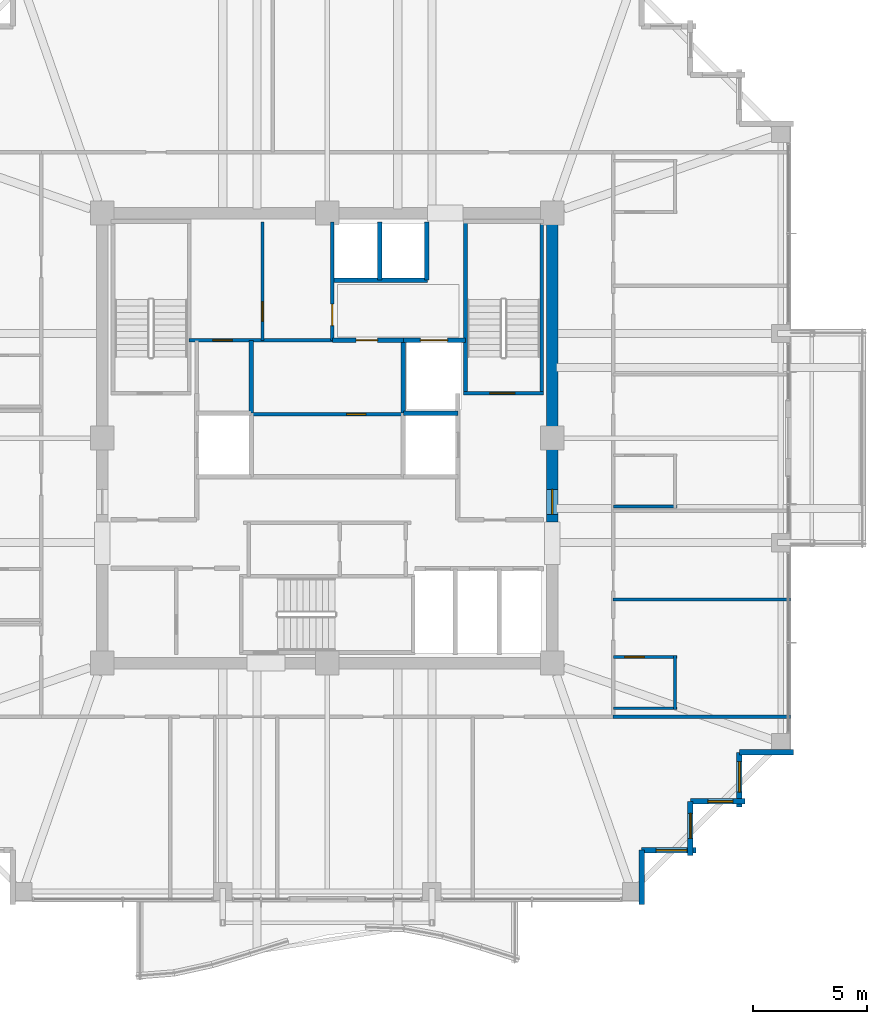
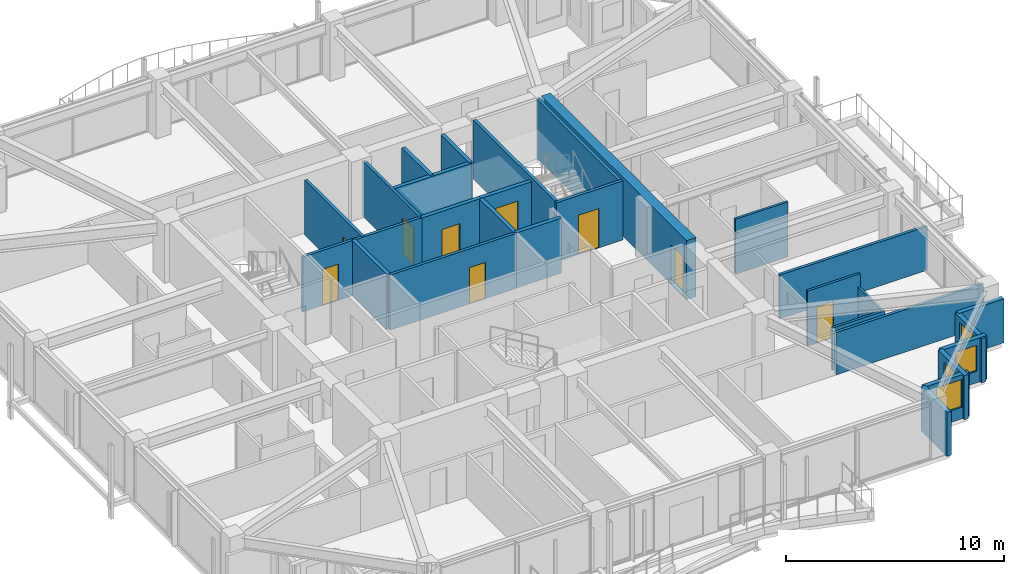
# One storey, part 34 of 38: 28 walls, 9 doors, 4 windows, 13 openings.
"""IFC4 building model written with IfcOpenShell, lengths in metres."""

from ifc_helpers import new_model, si_unit, direction, frame, frame_2d, origin, place, context, subcontext, project, spatial, rectangle, extrude, material, layer, layer_set, type_object, element, fill, save


model = new_model("IFC4")

# Units and contexts
model_context = context("Model", 3, precision=1e-05, world=origin(), true_north=direction((0.0, 1.0)))
body_context = subcontext(model_context, "Body", "Model", "MODEL_VIEW")
ifc_project = project(units=[si_unit("LENGTHUNIT", "METRE"), si_unit("AREAUNIT", "SQUARE_METRE"), si_unit("VOLUMEUNIT", "CUBIC_METRE"), si_unit("PLANEANGLEUNIT", "RADIAN"), si_unit("MASSUNIT", "GRAM", prefix="KILO")], contexts=[model_context])

# Site, building, storey
site_placement = place(None, origin())
site = spatial("IfcSite", under=ifc_project, at=site_placement, CompositionType="ELEMENT")
building_placement = place(site_placement, origin())
building = spatial("IfcBuilding", under=site, at=building_placement, Name="Kolvaren Belvedere", CompositionType="ELEMENT")
storey_placement = place(building_placement, frame((0.0, 0.0, 206.39990234375)))
storey = spatial("IfcBuildingStorey", under=building, at=storey_placement, Name="L60", CompositionType="ELEMENT", Elevation=206.39990234375)

# Wall, opening, door
ifc_material_1 = material(Name="Concrete C50/60", Category="concrete")
ifc_layer_1 = layer(ifc_material_1, 0.5)
ifc_layer_set_1 = layer_set([ifc_layer_1], Name="Concrete C50/60")
wall_type_1 = type_object("IfcWallType", Name="CW-CORE-500", PredefinedType="SHEAR", material=ifc_layer_set_1)
wall_1_placement = place(storey_placement, frame((9.89990234375, -3.699951171875, 0.0), z_axis=(0.0, 0.0, 1.0), x_axis=(0.0, 1.0, 0.0)))
wall_1 = element("IfcWall", 1, at=wall_1_placement, inside=storey, type_object=wall_type_1, Name="L60 East Core Shear Wall 2", PredefinedType="SHEAR", context=body_context, shape_type="SweptSolid", body=[
    extrude(rectangle(XDim=13.349853515625, YDim=0.5, at=frame_2d((6.6748046875, 0.0))), origin(), (0.0, 0.0, 1.0), 3.300048828125),
])
opening_1_placement = place(wall_1_placement, frame((0.35009765625, 0.0, 0.0)))
opening_1 = element("IfcOpeningElement", 2, at=opening_1_placement, cuts=wall_1, Name="Opening D-FD90", PredefinedType="OPENING", context=body_context, shape_type="SweptSolid", body=[
    extrude(rectangle(XDim=1.10009765625, YDim=2.199951171875, at=frame_2d((0.550048828125, 1.10009765625))), frame((0.0, 0.260009765625, 0.0), z_axis=(0.0, -1.0, 0.0), x_axis=(1.0, 0.0, 0.0)), (0.0, 0.0, 1.0), 0.52001953125),
])
ifc_material_2 = material(Name="Painted hollow stainless steel", Category="steel")
door_type_1 = type_object("IfcDoorType", Name="DR-FD90-1100", OperationType="NOTDEFINED", PredefinedType="DOOR", material=ifc_material_2)
door_1_placement = place(opening_1_placement, origin())
door_1 = element("IfcDoor", 3, at=door_1_placement, inside=storey, type_object=door_type_1, Name="L60 East Firefighting Lobby Fire Door", OperationType="SINGLE_SWING_RIGHT", OverallHeight=2.199951171875, OverallWidth=1.10009765625, PredefinedType="DOOR", context=body_context, shape_type="SweptSolid", body=[
    extrude(rectangle(XDim=1.10009765625, YDim=2.199951171875, at=frame_2d((0.550048828125, 1.10009765625))), frame((0.0, 0.02490234375, 0.0), z_axis=(0.0, -1.0, 0.0), x_axis=(1.0, 0.0, 0.0)), (0.0, 0.0, 1.0), 0.050048828125),
])
fill(opening_1, door_1)

ifc_material_3 = material(Name="Concrete C50/60", Category="concrete")
ifc_layer_2 = layer(ifc_material_3, 0.159912109375)
ifc_layer_set_2 = layer_set([ifc_layer_2], Name="Concrete C50/60")
wall_type_2 = type_object("IfcWallType", Name="CW-STAIR-160", PredefinedType="SHEAR", material=ifc_layer_set_2)
wall_2_placement = place(storey_placement, frame((6.0, 1.969970703125, 0.0), z_axis=(0.0, 0.0, 1.0), x_axis=(1.0, 0.0, 0.0)))
wall_2 = element("IfcWall", 4, at=wall_2_placement, inside=storey, type_object=wall_type_2, Name="L60 Stair ST-2 South Shear Wall", PredefinedType="SHEAR", context=body_context, shape_type="SweptSolid", body=[
    extrude(rectangle(XDim=3.52001953125, YDim=0.159912109375, at=frame_2d((1.760009765625, 0.0))), origin(), (0.0, 0.0, 1.0), 3.300048828125),
])
opening_2_placement = place(wall_2_placement, frame((1.14990234375, 0.0, 0.0)))
opening_2 = element("IfcOpeningElement", 5, at=opening_2_placement, cuts=wall_2, Name="Opening D-FD90", PredefinedType="OPENING", context=body_context, shape_type="SweptSolid", body=[
    extrude(rectangle(XDim=1.10009765625, YDim=2.199951171875, at=frame_2d((0.550048828125, 1.10009765625))), frame((0.0, 0.08984375, 0.0), z_axis=(0.0, -1.0, 0.0), x_axis=(1.0, 0.0, 0.0)), (0.0, 0.0, 1.0), 0.179931640625),
])
door_2_placement = place(opening_2_placement, origin())
door_2 = element("IfcDoor", 6, at=door_2_placement, inside=storey, type_object=door_type_1, Name="L60 Stair ST-2 Fire Door", OperationType="SINGLE_SWING_RIGHT", OverallHeight=2.199951171875, OverallWidth=1.10009765625, PredefinedType="DOOR", context=body_context, shape_type="SweptSolid", body=[
    extrude(rectangle(XDim=1.10009765625, YDim=2.199951171875, at=frame_2d((0.550048828125, 1.10009765625))), frame((0.0, 0.02490234375, 0.0), z_axis=(0.0, -1.0, 0.0), x_axis=(1.0, 0.0, 0.0)), (0.0, 0.0, 1.0), 0.050048828125),
])
fill(opening_2, door_2)

# Walls
for number, where, z_axis, x_axis, name in (
    (7, (6.080078125, 1.969970703125, 0.0), (0.0, 0.0, 1.0), (0.0, 1.0, 0.0), "L60 Stair ST-2 West Shear Wall"),
    (8, (9.429931640625, 1.969970703125, 0.0), (0.0, 0.0, 1.0), (0.0, 1.0, 0.0), "L60 Stair ST-2 East Shear Wall"),
):
    element("IfcWall", number, at=place(storey_placement, frame(where, z_axis=z_axis, x_axis=x_axis)), inside=storey, type_object=wall_type_2, Name=name, PredefinedType="SHEAR", context=body_context, shape_type="SweptSolid", body=[
        extrude(rectangle(XDim=7.56005859375, YDim=0.159912109375, at=frame_2d((3.780029296875, 0.0))), origin(), (0.0, 0.0, 1.0), 3.300048828125),
    ])
ifc_material_4 = material(Name="Insulated pale-metal facade wall assembly", Category="aluminium")
ifc_layer_3 = layer(ifc_material_4, 0.239990234375)
ifc_layer_set_3 = layer_set([ifc_layer_3], Name="Insulated pale-metal facade wall assembly")
wall_type_3 = type_object("IfcWallType", Name="WL-EXT-240", PredefinedType="STANDARD", material=ifc_layer_set_3)
wall_3_placement = place(storey_placement, frame((13.830078125, -18.1298828125, 0.0), z_axis=(0.0, 0.0, 1.0), x_axis=(0.0, -1.0, 0.0)))
element("IfcWall", 9, at=wall_3_placement, inside=storey, type_object=wall_type_3, Name="L60 Serrated Corner Facade Wall 2", PredefinedType="STANDARD", context=body_context, shape_type="SweptSolid", body=[
    extrude(rectangle(XDim=2.39013671875, YDim=0.239990234375, at=frame_2d((1.195068359375, 0.0))), origin(), (0.0, 0.0, 1.0), 2.463134765625),
])

# Wall, opening, window
wall_4_placement = place(storey_placement, frame((16.219970703125, -18.1298828125, 0.0), z_axis=(0.0, 0.0, 1.0), x_axis=(-1.0, 0.0, 0.0)))
wall_4 = element("IfcWall", 10, at=wall_4_placement, inside=storey, type_object=wall_type_3, Name="L60 Serrated Corner Facade Wall 3", PredefinedType="STANDARD", context=body_context, shape_type="SweptSolid", body=[
    extrude(rectangle(XDim=2.389892578125, YDim=0.239990234375, at=frame_2d((1.19482421875, 0.0))), origin(), (0.0, 0.0, 1.0), 2.463134765625),
])
opening_3_placement = place(wall_4_placement, frame((0.39990234375, 0.0, 0.64990234375)))
opening_3 = element("IfcOpeningElement", 11, at=opening_3_placement, cuts=wall_4, Name="Opening W-1350", PredefinedType="OPENING", context=body_context, shape_type="SweptSolid", body=[
    extrude(rectangle(XDim=1.35009765625, YDim=1.550048828125, at=frame_2d((0.675048828125, 0.77490234375))), frame((0.0, 0.1298828125, 0.0), z_axis=(0.0, -1.0, 0.0), x_axis=(1.0, 0.0, 0.0)), (0.0, 0.0, 1.0), 0.260009765625),
])
ifc_material_5 = material(Name="Low-iron triple insulated glass", Category="glass")
window_type_1 = type_object("IfcWindowType", Name="WN-CORN-1350", PartitioningType="SINGLE_PANEL", PredefinedType="WINDOW", material=ifc_material_5)
window_1_placement = place(opening_3_placement, origin())
window_1 = element("IfcWindow", 12, at=window_1_placement, inside=storey, type_object=window_type_1, Name="L60 Serrated Corner Vision Window 3", OverallHeight=1.550048828125, OverallWidth=1.35009765625, PartitioningType="SINGLE_PANEL", PredefinedType="WINDOW", context=body_context, shape_type="SweptSolid", body=[
    extrude(rectangle(XDim=1.35009765625, YDim=1.550048828125, at=frame_2d((0.675048828125, 0.77490234375))), frame((0.0, 0.030029296875, 0.0), z_axis=(0.0, -1.0, 0.0), x_axis=(1.0, 0.0, 0.0)), (0.0, 0.0, 1.0), 0.06005859375),
])
fill(opening_3, window_1)

wall_5_placement = place(storey_placement, frame((15.97998046875, -15.97998046875, 0.0), z_axis=(0.0, 0.0, 1.0), x_axis=(0.0, -1.0, 0.0)))
wall_5 = element("IfcWall", 13, at=wall_5_placement, inside=storey, type_object=wall_type_3, Name="L60 Serrated Corner Facade Wall 4", PredefinedType="STANDARD", context=body_context, shape_type="SweptSolid", body=[
    extrude(rectangle(XDim=2.39013671875, YDim=0.239990234375, at=frame_2d((1.195068359375, 0.0))), origin(), (0.0, 0.0, 1.0), 2.463134765625),
])
opening_4_placement = place(wall_5_placement, frame((0.52490234375, 0.0, 0.64990234375)))
opening_4 = element("IfcOpeningElement", 14, at=opening_4_placement, cuts=wall_5, Name="Opening W-1100", PredefinedType="OPENING", context=body_context, shape_type="SweptSolid", body=[
    extrude(rectangle(XDim=1.10009765625, YDim=1.449951171875, at=frame_2d((0.550048828125, 0.72509765625))), frame((0.0, 0.1298828125, 0.0), z_axis=(0.0, -1.0, 0.0), x_axis=(1.0, 0.0, 0.0)), (0.0, 0.0, 1.0), 0.260009765625),
])
ifc_material_6 = material(Name="Low-iron triple insulated glass", Category="glass")
window_type_2 = type_object("IfcWindowType", Name="WN-CORN-1100", PartitioningType="SINGLE_PANEL", PredefinedType="WINDOW", material=ifc_material_6)
window_2_placement = place(opening_4_placement, origin())
window_2 = element("IfcWindow", 15, at=window_2_placement, inside=storey, type_object=window_type_2, Name="L60 Serrated Corner Vision Window 4", OverallHeight=1.449951171875, OverallWidth=1.10009765625, PartitioningType="SINGLE_PANEL", PredefinedType="WINDOW", context=body_context, shape_type="SweptSolid", body=[
    extrude(rectangle(XDim=1.10009765625, YDim=1.449951171875, at=frame_2d((0.550048828125, 0.72509765625))), frame((0.0, 0.030029296875, 0.0), z_axis=(0.0, -1.0, 0.0), x_axis=(1.0, 0.0, 0.0)), (0.0, 0.0, 1.0), 0.06005859375),
])
fill(opening_4, window_2)

wall_6_placement = place(storey_placement, frame((18.3701171875, -15.97998046875, 0.0), z_axis=(0.0, 0.0, 1.0), x_axis=(-1.0, 0.0, 0.0)))
wall_6 = element("IfcWall", 16, at=wall_6_placement, inside=storey, type_object=wall_type_3, Name="L60 Serrated Corner Facade Wall 5", PredefinedType="STANDARD", context=body_context, shape_type="SweptSolid", body=[
    extrude(rectangle(XDim=2.39013671875, YDim=0.239990234375, at=frame_2d((1.195068359375, 0.0))), origin(), (0.0, 0.0, 1.0), 2.463134765625),
])
opening_5_placement = place(wall_6_placement, frame((0.52490234375, 0.0, 0.64990234375)))
opening_5 = element("IfcOpeningElement", 17, at=opening_5_placement, cuts=wall_6, Name="Opening W-1100", PredefinedType="OPENING", context=body_context, shape_type="SweptSolid", body=[
    extrude(rectangle(XDim=1.10009765625, YDim=1.449951171875, at=frame_2d((0.550048828125, 0.72509765625))), frame((0.0, 0.1298828125, 0.0), z_axis=(0.0, -1.0, 0.0), x_axis=(1.0, 0.0, 0.0)), (0.0, 0.0, 1.0), 0.260009765625),
])
window_3_placement = place(opening_5_placement, origin())
window_3 = element("IfcWindow", 18, at=window_3_placement, inside=storey, type_object=window_type_2, Name="L60 Serrated Corner Vision Window 5", OverallHeight=1.449951171875, OverallWidth=1.10009765625, PartitioningType="SINGLE_PANEL", PredefinedType="WINDOW", context=body_context, shape_type="SweptSolid", body=[
    extrude(rectangle(XDim=1.10009765625, YDim=1.449951171875, at=frame_2d((0.550048828125, 0.72509765625))), frame((0.0, 0.030029296875, 0.0), z_axis=(0.0, -1.0, 0.0), x_axis=(1.0, 0.0, 0.0)), (0.0, 0.0, 1.0), 0.06005859375),
])
fill(opening_5, window_3)

wall_7_placement = place(storey_placement, frame((18.1298828125, -13.830078125, 0.0), z_axis=(0.0, 0.0, 1.0), x_axis=(0.0, -1.0, 0.0)))
wall_7 = element("IfcWall", 19, at=wall_7_placement, inside=storey, type_object=wall_type_3, Name="L60 Serrated Corner Facade Wall 6", PredefinedType="STANDARD", context=body_context, shape_type="SweptSolid", body=[
    extrude(rectangle(XDim=2.389892578125, YDim=0.239990234375, at=frame_2d((1.19482421875, 0.0))), origin(), (0.0, 0.0, 1.0), 2.463134765625),
])
opening_6_placement = place(wall_7_placement, frame((0.39990234375, 0.0, 0.64990234375)))
opening_6 = element("IfcOpeningElement", 20, at=opening_6_placement, cuts=wall_7, Name="Opening W-1350", PredefinedType="OPENING", context=body_context, shape_type="SweptSolid", body=[
    extrude(rectangle(XDim=1.35009765625, YDim=1.550048828125, at=frame_2d((0.675048828125, 0.77490234375))), frame((0.0, 0.1298828125, 0.0), z_axis=(0.0, -1.0, 0.0), x_axis=(1.0, 0.0, 0.0)), (0.0, 0.0, 1.0), 0.260009765625),
])
window_4_placement = place(opening_6_placement, origin())
window_4 = element("IfcWindow", 21, at=window_4_placement, inside=storey, type_object=window_type_1, Name="L60 Serrated Corner Vision Window 6", OverallHeight=1.550048828125, OverallWidth=1.35009765625, PartitioningType="SINGLE_PANEL", PredefinedType="WINDOW", context=body_context, shape_type="SweptSolid", body=[
    extrude(rectangle(XDim=1.35009765625, YDim=1.550048828125, at=frame_2d((0.675048828125, 0.77490234375))), frame((0.0, 0.030029296875, 0.0), z_axis=(0.0, -1.0, 0.0), x_axis=(1.0, 0.0, 0.0)), (0.0, 0.0, 1.0), 0.06005859375),
])
fill(opening_6, window_4)

# Wall
wall_8_placement = place(storey_placement, frame((20.52001953125, -13.830078125, 0.0), z_axis=(0.0, 0.0, 1.0), x_axis=(-1.0, 0.0, 0.0)))
element("IfcWall", 22, at=wall_8_placement, inside=storey, type_object=wall_type_3, Name="L60 Serrated Corner Facade Wall 7", PredefinedType="STANDARD", context=body_context, shape_type="SweptSolid", body=[
    extrude(rectangle(XDim=2.39013671875, YDim=0.239990234375, at=frame_2d((1.195068359375, 0.0))), origin(), (0.0, 0.0, 1.0), 2.463134765625),
])

# Wall, opening, door
ifc_material_7 = material(Name="Gypsum acoustic partition assembly", Category="gypsum")
ifc_layer_4 = layer(ifc_material_7, 0.14990234375)
ifc_layer_set_4 = layer_set([ifc_layer_4], Name="Gypsum acoustic partition assembly")
wall_type_4 = type_object("IfcWallType", Name="WL-PART-150", PredefinedType="PARTITIONING", material=ifc_layer_set_4)
wall_9_placement = place(storey_placement, frame((-6.080078125, 4.300048828125, 0.0), z_axis=(0.0, 0.0, 1.0), x_axis=(1.0, 0.0, 0.0)))
wall_9 = element("IfcWall", 23, at=wall_9_placement, inside=storey, type_object=wall_type_4, Name="L60 Reclaimed Salon South Wall", PredefinedType="PARTITIONING", context=body_context, shape_type="SweptSolid", body=[
    extrude(rectangle(XDim=6.300048828125, YDim=0.14990234375, at=frame_2d((3.14990234375, 0.0))), origin(), (0.0, 0.0, 1.0), 3.080078125),
])
opening_7_placement = place(wall_9_placement, frame((1.050048828125, 0.0, 0.0)))
opening_7 = element("IfcOpeningElement", 24, at=opening_7_placement, cuts=wall_9, Name="Opening D-INT85", PredefinedType="OPENING", context=body_context, shape_type="SweptSolid", body=[
    extrude(rectangle(XDim=0.85009765625, YDim=2.030029296875, at=frame_2d((0.425048828125, 1.01513671875))), frame((0.0, 0.0849609375, 0.0), z_axis=(0.0, -1.0, 0.0), x_axis=(1.0, 0.0, 0.0)), (0.0, 0.0, 1.0), 0.169921875),
])
ifc_material_8 = material(Name="Stained Pacific white oak", Category="timber")
door_type_2 = type_object("IfcDoorType", Name="DR-INT-850", OperationType="NOTDEFINED", PredefinedType="DOOR", material=ifc_material_8)
door_3_placement = place(opening_7_placement, origin())
door_3 = element("IfcDoor", 25, at=door_3_placement, inside=storey, type_object=door_type_2, Name="L60 NW Core Store Door", OperationType="SINGLE_SWING_RIGHT", OverallHeight=2.030029296875, OverallWidth=0.85009765625, PredefinedType="DOOR", context=body_context, shape_type="SweptSolid", body=[
    extrude(rectangle(XDim=0.85009765625, YDim=2.030029296875, at=frame_2d((0.425048828125, 1.01513671875))), frame((0.0, 0.02490234375, 0.0), z_axis=(0.0, -1.0, 0.0), x_axis=(1.0, 0.0, 0.0)), (0.0, 0.0, 1.0), 0.050048828125),
])
fill(opening_7, door_3)

wall_10_placement = place(storey_placement, frame((0.219970703125, 4.300048828125, 0.0), z_axis=(0.0, 0.0, 1.0), x_axis=(0.0, 1.0, 0.0)))
wall_10 = element("IfcWall", 26, at=wall_10_placement, inside=storey, type_object=wall_type_4, Name="L60 Reclaimed Salon East Wall", PredefinedType="PARTITIONING", context=body_context, shape_type="SweptSolid", body=[
    extrude(rectangle(XDim=5.219970703125, YDim=0.14990234375, at=frame_2d((2.60986328125, 0.0))), origin(), (0.0, 0.0, 1.0), 3.080078125),
])
opening_8_placement = place(wall_10_placement, frame((0.64990234375, 0.0, 0.0)))
opening_8 = element("IfcOpeningElement", 27, at=opening_8_placement, cuts=wall_10, Name="Opening D-INT95", PredefinedType="OPENING", context=body_context, shape_type="SweptSolid", body=[
    extrude(rectangle(XDim=0.949951171875, YDim=2.06005859375, at=frame_2d((0.47509765625, 1.030029296875))), frame((0.0, 0.0849609375, 0.0), z_axis=(0.0, -1.0, 0.0), x_axis=(1.0, 0.0, 0.0)), (0.0, 0.0, 1.0), 0.169921875),
])
ifc_material_9 = material(Name="Stained Pacific white oak", Category="timber")
door_type_3 = type_object("IfcDoorType", Name="DR-INT-950", OperationType="NOTDEFINED", PredefinedType="DOOR", material=ifc_material_9)
door_4_placement = place(opening_8_placement, origin())
door_4 = element("IfcDoor", 28, at=door_4_placement, inside=storey, type_object=door_type_3, Name="L60 Sky Boardroom Door", OperationType="SINGLE_SWING_LEFT", OverallHeight=2.06005859375, OverallWidth=0.949951171875, PredefinedType="DOOR", context=body_context, shape_type="SweptSolid", body=[
    extrude(rectangle(XDim=0.949951171875, YDim=2.06005859375, at=frame_2d((0.47509765625, 1.030029296875))), frame((0.0, 0.02490234375, 0.0), z_axis=(0.0, -1.0, 0.0), x_axis=(1.0, 0.0, 0.0)), (0.0, 0.0, 1.0), 0.050048828125),
])
fill(opening_8, door_4)

wall_11_placement = place(storey_placement, frame((-2.85009765625, 4.300048828125, 0.0), z_axis=(0.0, 0.0, 1.0), x_axis=(0.0, 1.0, 0.0)))
wall_11 = element("IfcWall", 29, at=wall_11_placement, inside=storey, type_object=wall_type_4, Name="L60 Reclaimed Salon Divider", PredefinedType="PARTITIONING", context=body_context, shape_type="SweptSolid", body=[
    extrude(rectangle(XDim=5.219970703125, YDim=0.14990234375, at=frame_2d((2.60986328125, 0.0))), origin(), (0.0, 0.0, 1.0), 3.080078125),
])
opening_9_placement = place(wall_11_placement, frame((0.85009765625, 0.0, 0.0)))
opening_9 = element("IfcOpeningElement", 30, at=opening_9_placement, cuts=wall_11, Name="Opening D-INT85", PredefinedType="OPENING", context=body_context, shape_type="SweptSolid", body=[
    extrude(rectangle(XDim=0.85009765625, YDim=2.030029296875, at=frame_2d((0.425048828125, 1.01513671875))), frame((0.0, 0.0849609375, 0.0), z_axis=(0.0, -1.0, 0.0), x_axis=(1.0, 0.0, 0.0)), (0.0, 0.0, 1.0), 0.169921875),
])
door_5_placement = place(opening_9_placement, origin())
door_5 = element("IfcDoor", 31, at=door_5_placement, inside=storey, type_object=door_type_2, Name="L60 Beverage Pantry Door", OperationType="SINGLE_SWING_RIGHT", OverallHeight=2.030029296875, OverallWidth=0.85009765625, PredefinedType="DOOR", context=body_context, shape_type="SweptSolid", body=[
    extrude(rectangle(XDim=0.85009765625, YDim=2.030029296875, at=frame_2d((0.425048828125, 1.01513671875))), frame((0.0, 0.02490234375, 0.0), z_axis=(0.0, -1.0, 0.0), x_axis=(1.0, 0.0, 0.0)), (0.0, 0.0, 1.0), 0.050048828125),
])
fill(opening_9, door_5)

wall_12_placement = place(storey_placement, frame((-3.35009765625, 1.050048828125, 0.0), z_axis=(0.0, 0.0, 1.0), x_axis=(1.0, 0.0, 0.0)))
wall_12 = element("IfcWall", 32, at=wall_12_placement, inside=storey, type_object=wall_type_4, Name="L60 Central Core H-Divider", PredefinedType="PARTITIONING", context=body_context, shape_type="SweptSolid", body=[
    extrude(rectangle(XDim=6.7001953125, YDim=0.14990234375, at=frame_2d((3.35009765625, 0.0))), origin(), (0.0, 0.0, 1.0), 3.080078125),
])
opening_10_placement = place(wall_12_placement, frame((4.199951171875, 0.0, 0.0)))
opening_10 = element("IfcOpeningElement", 33, at=opening_10_placement, cuts=wall_12, Name="Opening D-INT85", PredefinedType="OPENING", context=body_context, shape_type="SweptSolid", body=[
    extrude(rectangle(XDim=0.85009765625, YDim=2.030029296875, at=frame_2d((0.425048828125, 1.01513671875))), frame((0.0, 0.0849609375, 0.0), z_axis=(0.0, -1.0, 0.0), x_axis=(1.0, 0.0, 0.0)), (0.0, 0.0, 1.0), 0.169921875),
])
door_6_placement = place(opening_10_placement, origin())
door_6 = element("IfcDoor", 34, at=door_6_placement, inside=storey, type_object=door_type_2, Name="L60 Central Archive Door", OperationType="SINGLE_SWING_LEFT", OverallHeight=2.030029296875, OverallWidth=0.85009765625, PredefinedType="DOOR", context=body_context, shape_type="SweptSolid", body=[
    extrude(rectangle(XDim=0.85009765625, YDim=2.030029296875, at=frame_2d((0.425048828125, 1.01513671875))), frame((0.0, 0.02490234375, 0.0), z_axis=(0.0, -1.0, 0.0), x_axis=(1.0, 0.0, 0.0)), (0.0, 0.0, 1.0), 0.050048828125),
])
fill(opening_10, door_6)

# Walls
wall_13_placement = place(storey_placement, frame((12.580078125, -12.260009765625, 0.0), z_axis=(0.0, 0.0, 1.0), x_axis=(1.0, 0.0, 0.0)))
element("IfcWall", 35, at=wall_13_placement, inside=storey, type_object=wall_type_4, Name="L60 Wing Divider PW-L60-QSE", PredefinedType="PARTITIONING", context=body_context, shape_type="SweptSolid", body=[
    extrude(rectangle(XDim=7.7998046875, YDim=0.14990234375, at=frame_2d((3.89990234375, 0.0))), origin(), (0.0, 0.0, 1.0), 2.369140625),
])
wall_14_placement = place(storey_placement, frame((12.580078125, -7.10009765625, 0.0), z_axis=(0.0, 0.0, 1.0), x_axis=(1.0, 0.0, 0.0)))
element("IfcWall", 36, at=wall_14_placement, inside=storey, type_object=wall_type_4, Name="L60 East Suite Demising Wall 1", PredefinedType="PARTITIONING", context=body_context, shape_type="SweptSolid", body=[
    extrude(rectangle(XDim=7.7998046875, YDim=0.14990234375, at=frame_2d((3.89990234375, 0.0))), origin(), (0.0, 0.0, 1.0), 2.453125),
])
ifc_material_10 = material(Name="Concrete C50/60", Category="concrete")
ifc_layer_5 = layer(ifc_material_10, 0.199951171875)
ifc_layer_set_5 = layer_set([ifc_layer_5], Name="Concrete C50/60")
wall_type_5 = type_object("IfcWallType", Name="WL-SHAFT-200", PredefinedType="SOLIDWALL", material=ifc_layer_set_5)
wall_15_placement = place(storey_placement, frame((3.35009765625, 1.10009765625, 0.0), z_axis=(0.0, 0.0, 1.0), x_axis=(1.0, 0.0, 0.0)))
element("IfcWall", 37, at=wall_15_placement, inside=storey, type_object=wall_type_5, Name="L60 FSAE FS2 North Wall", PredefinedType="SOLIDWALL", context=body_context, shape_type="SweptSolid", body=[
    extrude(rectangle(XDim=2.39990234375, YDim=0.199951171875, at=frame_2d((1.199951171875, 0.0))), origin(), (0.0, 0.0, 1.0), 3.080078125),
])

# Wall, opening, door
wall_16_placement = place(storey_placement, frame((3.35009765625, 4.300048828125, 0.0), z_axis=(0.0, 0.0, 1.0), x_axis=(1.0, 0.0, 0.0)))
wall_16 = element("IfcWall", 38, at=wall_16_placement, inside=storey, type_object=wall_type_5, Name="L60 Service Lift SV1 Front Wall", PredefinedType="SOLIDWALL", context=body_context, shape_type="SweptSolid", body=[
    extrude(rectangle(XDim=2.72998046875, YDim=0.199951171875, at=frame_2d((1.364990234375, 0.0))), origin(), (0.0, 0.0, 1.0), 3.080078125),
])
opening_11_placement = place(wall_16_placement, frame((0.75, 0.0, 0.0)))
opening_11 = element("IfcOpeningElement", 39, at=opening_11_placement, cuts=wall_16, Name="Opening LD-12", PredefinedType="OPENING", context=body_context, shape_type="SweptSolid", body=[
    extrude(rectangle(XDim=1.199951171875, YDim=2.25, at=frame_2d((0.60009765625, 1.125))), frame((0.0, 0.10986328125, 0.0), z_axis=(0.0, -1.0, 0.0), x_axis=(1.0, 0.0, 0.0)), (0.0, 0.0, 1.0), 0.219970703125),
])
ifc_material_11 = material(Name="Brushed stainless steel", Category="steel")
door_type_4 = type_object("IfcDoorType", Name="DR-LIFT-1200", OperationType="DOUBLE_DOOR_SLIDING", PredefinedType="DOOR", material=ifc_material_11)
door_7_placement = place(opening_11_placement, origin())
door_7 = element("IfcDoor", 40, at=door_7_placement, inside=storey, type_object=door_type_4, Name="L60 Service Lift SV1 Landing Door", OperationType="DOUBLE_DOOR_SLIDING", OverallHeight=2.25, OverallWidth=1.199951171875, PredefinedType="DOOR", context=body_context, shape_type="SweptSolid", body=[
    extrude(rectangle(XDim=1.199951171875, YDim=2.25, at=frame_2d((0.60009765625, 1.125))), frame((0.0, 0.02490234375, 0.0), z_axis=(0.0, -1.0, 0.0), x_axis=(1.0, 0.0, 0.0)), (0.0, 0.0, 1.0), 0.050048828125),
])
fill(opening_11, door_7)

# Walls
wall_17_placement = place(storey_placement, frame((0.219970703125, 6.949951171875, 0.0), z_axis=(0.0, 0.0, 1.0), x_axis=(1.0, 0.0, 0.0)))
element("IfcWall", 41, at=wall_17_placement, inside=storey, type_object=wall_type_5, Name="L60 Express Shuttle Hoistway Wall", PredefinedType="SOLIDWALL", context=body_context, shape_type="SweptSolid", body=[
    extrude(rectangle(XDim=4.179931640625, YDim=0.199951171875, at=frame_2d((2.08984375, 0.0))), origin(), (0.0, 0.0, 1.0), 3.080078125),
])
for number, where, z_axis, x_axis, name in (
    (42, (4.3798828125, 6.949951171875, 0.0), (0.0, 0.0, 1.0), (0.0, 1.0, 0.0), "L60 Express Shuttle East Wall"),
    (43, (2.31005859375, 6.949951171875, 0.0), (0.0, 0.0, 1.0), (0.0, 1.0, 0.0), "L60 Express Shuttle Divider"),
):
    element("IfcWall", number, at=place(storey_placement, frame(where, z_axis=z_axis, x_axis=x_axis)), inside=storey, type_object=wall_type_5, Name=name, PredefinedType="SOLIDWALL", context=body_context, shape_type="SweptSolid", body=[
        extrude(rectangle(XDim=2.570068359375, YDim=0.199951171875, at=frame_2d((1.28515625, 0.0))), origin(), (0.0, 0.0, 1.0), 3.080078125),
    ])

# Wall, opening, door
wall_18_placement = place(storey_placement, frame((0.219970703125, 4.300048828125, 0.0), z_axis=(0.0, 0.0, 1.0), x_axis=(1.0, 0.0, 0.0)))
wall_18 = element("IfcWall", 44, at=wall_18_placement, inside=storey, type_object=wall_type_5, Name="L60 Central Core Room North Wall", PredefinedType="SOLIDWALL", context=body_context, shape_type="SweptSolid", body=[
    extrude(rectangle(XDim=3.130126953125, YDim=0.199951171875, at=frame_2d((1.56494140625, 0.0))), origin(), (0.0, 0.0, 1.0), 3.080078125),
])
opening_12_placement = place(wall_18_placement, frame((1.050048828125, 0.0, 0.0)))
opening_12 = element("IfcOpeningElement", 45, at=opening_12_placement, cuts=wall_18, Name="Opening D-FD60", PredefinedType="OPENING", context=body_context, shape_type="SweptSolid", body=[
    extrude(rectangle(XDim=0.949951171875, YDim=2.06005859375, at=frame_2d((0.47509765625, 1.030029296875))), frame((0.0, 0.10986328125, 0.0), z_axis=(0.0, -1.0, 0.0), x_axis=(1.0, 0.0, 0.0)), (0.0, 0.0, 1.0), 0.219970703125),
])
ifc_material_12 = material(Name="Acoustic white-oak fire door leaf", Category="timber")
door_type_5 = type_object("IfcDoorType", Name="DR-FD60-950", OperationType="NOTDEFINED", PredefinedType="DOOR", material=ifc_material_12)
door_8_placement = place(opening_12_placement, origin())
door_8 = element("IfcDoor", 46, at=door_8_placement, inside=storey, type_object=door_type_5, Name="L60 Central Core Controls Door", OperationType="SINGLE_SWING_LEFT", OverallHeight=2.06005859375, OverallWidth=0.949951171875, PredefinedType="DOOR", context=body_context, shape_type="SweptSolid", body=[
    extrude(rectangle(XDim=0.949951171875, YDim=2.06005859375, at=frame_2d((0.47509765625, 1.030029296875))), frame((0.0, 0.02490234375, 0.0), z_axis=(0.0, -1.0, 0.0), x_axis=(1.0, 0.0, 0.0)), (0.0, 0.0, 1.0), 0.050048828125),
])
fill(opening_12, door_8)

# Walls
for number, where, z_axis, x_axis, name in (
    (47, (-3.35009765625, 1.10009765625, 0.0), (0.0, 0.0, 1.0), (0.0, 1.0, 0.0), "L60 Central Core Room West Wall"),
    (48, (3.35009765625, 1.10009765625, 0.0), (0.0, 0.0, 1.0), (0.0, 1.0, 0.0), "L60 Central Core Room East Wall"),
):
    element("IfcWall", number, at=place(storey_placement, frame(where, z_axis=z_axis, x_axis=x_axis)), inside=storey, type_object=wall_type_5, Name=name, PredefinedType="SOLIDWALL", context=body_context, shape_type="SweptSolid", body=[
        extrude(rectangle(XDim=3.199951171875, YDim=0.199951171875, at=frame_2d((1.60009765625, 0.0))), origin(), (0.0, 0.0, 1.0), 3.080078125),
    ])

# Wall, opening, door
ifc_material_13 = material(Name="Moisture-resistant gypsum partition", Category="gypsum")
ifc_layer_6 = layer(ifc_material_13, 0.125)
ifc_layer_set_6 = layer_set([ifc_layer_6], Name="Moisture-resistant gypsum partition")
wall_type_6 = type_object("IfcWallType", Name="WL-WET-125", PredefinedType="PARTITIONING", material=ifc_layer_set_6)
wall_19_placement = place(storey_placement, frame((12.594970703125, -9.631103515625, 0.0), z_axis=(0.0, 0.0, 1.0), x_axis=(1.0, 0.0, 0.0)))
wall_19 = element("IfcWall", 49, at=wall_19_placement, inside=storey, type_object=wall_type_6, Name="L60 Bathroom Partition PW-L60-BTH-4-N", PredefinedType="PARTITIONING", context=body_context, shape_type="SweptSolid", body=[
    extrude(rectangle(XDim=2.7900390625, YDim=0.125, at=frame_2d((1.39501953125, 0.0))), origin(), (0.0, 0.0, 1.0), 3.080078125),
])
opening_13_placement = place(wall_19_placement, frame((0.5, 0.0, 0.0)))
opening_13 = element("IfcOpeningElement", 50, at=opening_13_placement, cuts=wall_19, Name="Opening D-BTH85", PredefinedType="OPENING", context=body_context, shape_type="SweptSolid", body=[
    extrude(rectangle(XDim=0.85009765625, YDim=2.030029296875, at=frame_2d((0.425048828125, 1.01513671875))), frame((0.0, 0.072509765625, 0.0), z_axis=(0.0, -1.0, 0.0), x_axis=(1.0, 0.0, 0.0)), (0.0, 0.0, 1.0), 0.14501953125),
])
ifc_material_14 = material(Name="Moisture-sealed Pacific white oak", Category="timber")
door_type_6 = type_object("IfcDoorType", Name="DR-BATH-850", OperationType="NOTDEFINED", PredefinedType="DOOR", material=ifc_material_14)
door_9_placement = place(opening_13_placement, origin())
door_9 = element("IfcDoor", 51, at=door_9_placement, inside=storey, type_object=door_type_6, Name="L60 En-Suite Bathroom 6004 Door", OperationType="SINGLE_SWING_RIGHT", OverallHeight=2.030029296875, OverallWidth=0.85009765625, PredefinedType="DOOR", context=body_context, shape_type="SweptSolid", body=[
    extrude(rectangle(XDim=0.85009765625, YDim=2.030029296875, at=frame_2d((0.425048828125, 1.01513671875))), frame((0.0, 0.02490234375, 0.0), z_axis=(0.0, -1.0, 0.0), x_axis=(1.0, 0.0, 0.0)), (0.0, 0.0, 1.0), 0.050048828125),
])
fill(opening_13, door_9)

# Walls
wall_20_placement = place(storey_placement, frame((15.304931640625, -11.94091796875, 0.0), z_axis=(0.0, 0.0, 1.0), x_axis=(0.0, 1.0, 0.0)))
element("IfcWall", 52, at=wall_20_placement, inside=storey, type_object=wall_type_6, Name="L60 Bathroom Partition PW-L60-BTH-4-V", PredefinedType="PARTITIONING", context=body_context, shape_type="SweptSolid", body=[
    extrude(rectangle(XDim=2.369873046875, YDim=0.125, at=frame_2d((1.18505859375, 0.0))), origin(), (0.0, 0.0, 1.0), 2.369140625),
])
wall_21_placement = place(storey_placement, frame((12.594970703125, -11.881103515625, 0.0), z_axis=(0.0, 0.0, 1.0), x_axis=(1.0, 0.0, 0.0)))
element("IfcWall", 53, at=wall_21_placement, inside=storey, type_object=wall_type_6, Name="L60 Bathroom Partition PW-L60-BTH-4-S", PredefinedType="PARTITIONING", context=body_context, shape_type="SweptSolid", body=[
    extrude(rectangle(XDim=2.7900390625, YDim=0.125, at=frame_2d((1.39501953125, 0.0))), origin(), (0.0, 0.0, 1.0), 2.369140625),
])
wall_22_placement = place(storey_placement, frame((12.594970703125, -3.0048828125, 0.0), z_axis=(0.0, 0.0, 1.0), x_axis=(1.0, 0.0, 0.0)))
element("IfcWall", 54, at=wall_22_placement, inside=storey, type_object=wall_type_6, Name="L60 Bathroom Partition PW-L60-BTH-6-S", PredefinedType="PARTITIONING", context=body_context, shape_type="SweptSolid", body=[
    extrude(rectangle(XDim=2.7900390625, YDim=0.125, at=frame_2d((1.39501953125, 0.0))), origin(), (0.0, 0.0, 1.0), 3.080078125),
])

save(model, "model.ifc")
